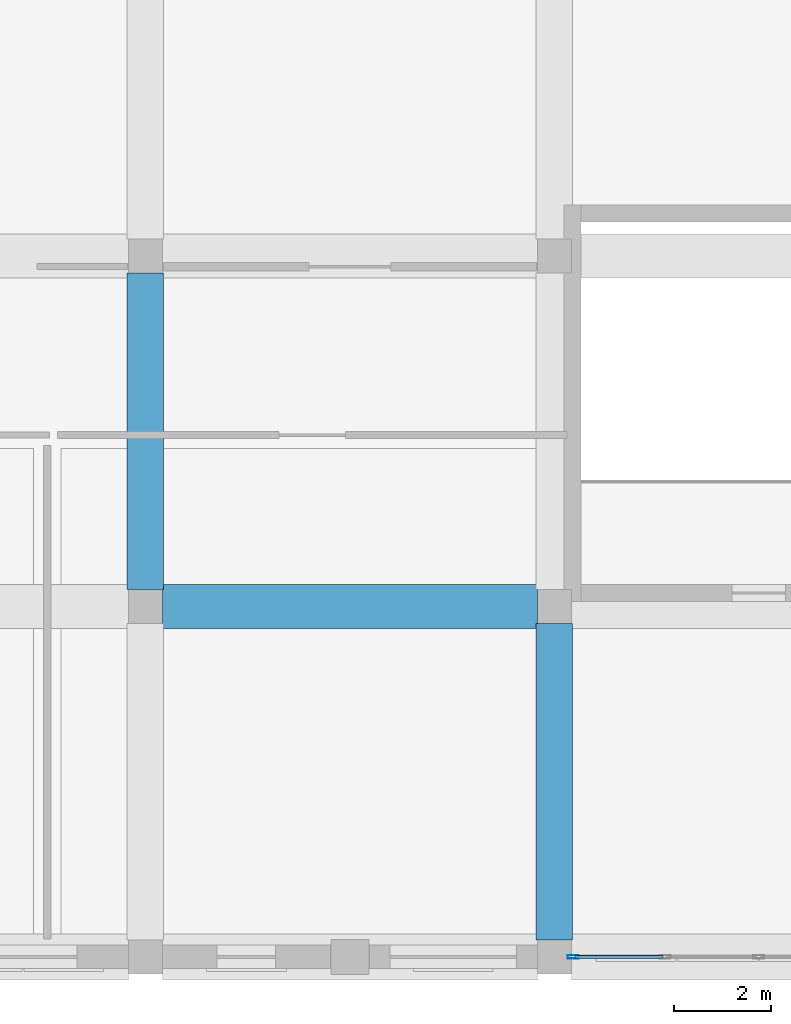
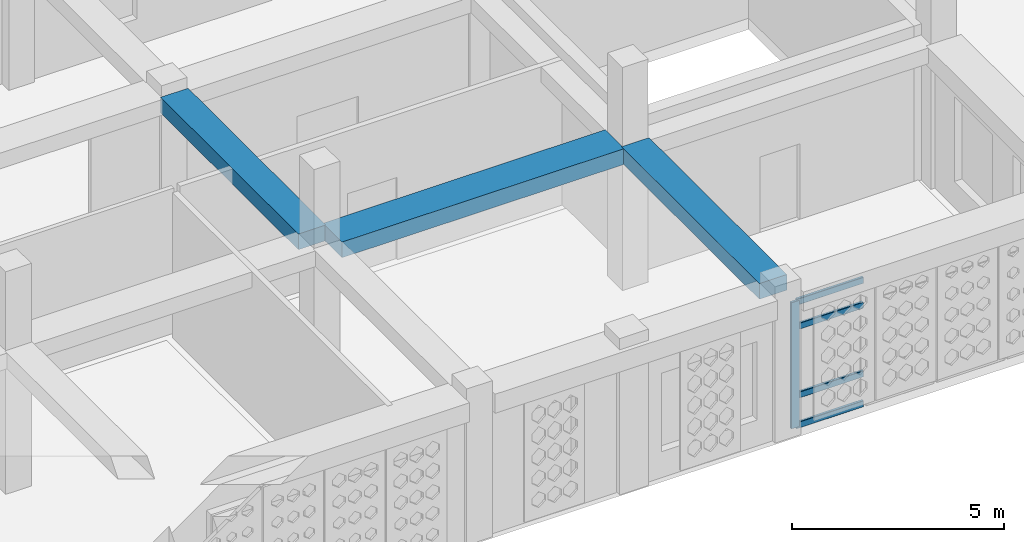
# One storey, part 17 of 100: 5 members, 3 beams, 1 element without a shape of its own.
"""IFC4 building model written with IfcOpenShell, lengths in metres."""

from ifc_helpers import new_model, si_unit, derived_unit, direction, frame, origin, origin_2d, place, context, subcontext, project, spatial, rectangle, hollow_rectangle, extrude, material, material_profile, profile_set, type_object, element, aggregate, save


model = new_model("IFC4")

# Units and contexts
model_context = context("Model", 3, precision=1e-05, world=origin(), true_north=direction((0.0, 1.0)))
body_context = subcontext(model_context, "Body", "Model", "MODEL_VIEW")
ifc_project = project(units=[si_unit("LENGTHUNIT", "METRE"), si_unit("AREAUNIT", "SQUARE_METRE"), si_unit("VOLUMEUNIT", "CUBIC_METRE"), si_unit("PLANEANGLEUNIT", "RADIAN"), si_unit("MASSUNIT", "GRAM", prefix="KILO"), derived_unit("THERMALTRANSMITTANCEUNIT", [(si_unit("POWERUNIT", "WATT"), 1), (si_unit("LENGTHUNIT", "METRE"), -2), (si_unit("THERMODYNAMICTEMPERATUREUNIT", "KELVIN"), -1)])], contexts=[model_context])

# Site, building, storey
site_placement = place(None, origin())
site = spatial("IfcSite", under=ifc_project, at=site_placement, CompositionType="ELEMENT")
building_placement = place(site_placement, origin())
building = spatial("IfcBuilding", under=site, at=building_placement, Name="Veybourne Emporium", CompositionType="ELEMENT")
storey_placement = place(building_placement, frame((0.0, 0.0, 14.39990234375)))
storey = spatial("IfcBuildingStorey", under=building, at=storey_placement, Name="L03", CompositionType="ELEMENT", Elevation=14.39990234375)

# Curtain wall, members
ifc_material_1 = material(Name="Patinated Architectural Bronze", Category="bronze")
curtain_wall_type = type_object("IfcCurtainWallType", Name="CWSystem_CWS-22", PredefinedType="NOTDEFINED", material=ifc_material_1)
curtain_wall_placement = place(storey_placement, origin())
curtain_wall = element("IfcCurtainWall", 1, at=curtain_wall_placement, inside=storey, type_object=curtain_wall_type, Name="L03 bronze glazed curtain wall CWS-22 (066)", PredefinedType="NOTDEFINED")
ifc_material_profile_1 = material_profile(ifc_material_1, hollow_rectangle(XDim=0.074951171875, YDim=0.22998046875, WallThickness=0.0048828125, InnerFilletRadius=0.007568359375, OuterFilletRadius=0.012451171875, at=origin_2d()), Name="CWM 75x230x5")
ifc_profile_set_1 = profile_set([ifc_material_profile_1], Name="Patinated Architectural Bronze")
member_type_1 = type_object("IfcMemberType", Name="CWMullion_CW-M2", PredefinedType="MULLION", material=ifc_profile_set_1)
member_1_placement = place(storey_placement, frame((126.387451171875, 0.0, 0.0), z_axis=(0.0, 0.0, 1.0), x_axis=(0.0, -1.0, 0.0)))
member_1 = element("IfcMember", 2, at=member_1_placement, type_object=member_type_1, Name="CWS-22 mullion 5", PredefinedType="MULLION", context=body_context, shape_type="SweptSolid", body=[
    extrude(hollow_rectangle(XDim=0.074951171875, YDim=0.22998046875, WallThickness=0.0048828125, InnerFilletRadius=0.007568359375, OuterFilletRadius=0.012451171875, at=origin_2d()), origin(), (0.0, 0.0, 1.0), 3.630126953125),
])
ifc_material_profile_2 = material_profile(ifc_material_1, hollow_rectangle(XDim=0.074951171875, YDim=0.179931640625, WallThickness=0.0048828125, InnerFilletRadius=0.007568359375, OuterFilletRadius=0.012451171875, at=origin_2d()), Name="CWT 75x180x5")
ifc_profile_set_2 = profile_set([ifc_material_profile_2], Name="Patinated Architectural Bronze")
member_type_2 = type_object("IfcMemberType", Name="CWTransom_CW-T2", PredefinedType="NOTDEFINED", material=ifc_profile_set_2)
member_2_placement = place(storey_placement, frame((128.237548828125, 0.0, 0.03759765625), z_axis=(-1.0, 0.0, 0.0), x_axis=(0.0, -1.0, 0.0)))
member_2 = element("IfcMember", 3, at=member_2_placement, type_object=member_type_2, Name="CWS-22 transom 4.1", ObjectType="TRANSOM", PredefinedType="USERDEFINED", context=body_context, shape_type="SweptSolid", body=[
    extrude(hollow_rectangle(XDim=0.074951171875, YDim=0.179931640625, WallThickness=0.0048828125, InnerFilletRadius=0.007568359375, OuterFilletRadius=0.012451171875, at=origin_2d()), origin(), (0.0, 0.0, 1.0), 1.8125),
])
member_3_placement = place(storey_placement, frame((128.237548828125, 0.0, 0.900146484375), z_axis=(-1.0, 0.0, 0.0), x_axis=(0.0, -1.0, 0.0)))
member_3 = element("IfcMember", 4, at=member_3_placement, type_object=member_type_2, Name="CWS-22 transom 4.2", ObjectType="TRANSOM", PredefinedType="USERDEFINED", context=body_context, shape_type="SweptSolid", body=[
    extrude(hollow_rectangle(XDim=0.074951171875, YDim=0.179931640625, WallThickness=0.0048828125, InnerFilletRadius=0.007568359375, OuterFilletRadius=0.012451171875, at=origin_2d()), origin(), (0.0, 0.0, 1.0), 1.8125),
])
member_4_placement = place(storey_placement, frame((128.237548828125, 0.0, 2.880126953125), z_axis=(-1.0, 0.0, 0.0), x_axis=(0.0, -1.0, 0.0)))
member_4 = element("IfcMember", 5, at=member_4_placement, type_object=member_type_2, Name="CWS-22 transom 4.3", ObjectType="TRANSOM", PredefinedType="USERDEFINED", context=body_context, shape_type="SweptSolid", body=[
    extrude(hollow_rectangle(XDim=0.074951171875, YDim=0.179931640625, WallThickness=0.0048828125, InnerFilletRadius=0.007568359375, OuterFilletRadius=0.012451171875, at=origin_2d()), origin(), (0.0, 0.0, 1.0), 1.8125),
])
member_5_placement = place(storey_placement, frame((128.237548828125, 0.0, 3.592529296875), z_axis=(-1.0, 0.0, 0.0), x_axis=(0.0, -1.0, 0.0)))
member_5 = element("IfcMember", 6, at=member_5_placement, type_object=member_type_2, Name="CWS-22 transom 4.4", ObjectType="TRANSOM", PredefinedType="USERDEFINED", context=body_context, shape_type="SweptSolid", body=[
    extrude(hollow_rectangle(XDim=0.074951171875, YDim=0.179931640625, WallThickness=0.0048828125, InnerFilletRadius=0.007568359375, OuterFilletRadius=0.012451171875, at=origin_2d()), origin(), (0.0, 0.0, 1.0), 1.8125),
])
aggregate(curtain_wall, [member_1, member_2, member_3, member_4, member_5])

# Beams
ifc_material_2 = material(Name="Concrete C32/40", Category="concrete")
ifc_material_profile_3 = material_profile(ifc_material_2, rectangle(XDim=0.89990234375, YDim=0.449951171875, at=origin_2d()), Name="RC 900x450")
ifc_profile_set_3 = profile_set([ifc_material_profile_3], Name="Concrete C32/40")
beam_type_1 = type_object("IfcBeamType", Name="RCBeam_BB-03", PredefinedType="BEAM", material=ifc_profile_set_3)
beam_placement = place(storey_placement, frame((117.949951171875, 7.199951171875, 3.955078125), z_axis=(1.0, 0.0, 0.0), x_axis=(0.0, 1.0, 0.0)))
element("IfcBeam", 7, at=beam_placement, inside=storey, type_object=beam_type_1, Name="L03 X-grid beam BB-03 (14,1)", PredefinedType="BEAM", context=body_context, shape_type="SweptSolid", body=[
    extrude(rectangle(XDim=0.89990234375, YDim=0.449951171875, at=origin_2d()), origin(), (0.0, 0.0, 1.0), 7.699951171875),
])
ifc_material_profile_4 = material_profile(ifc_material_2, rectangle(XDim=0.75, YDim=0.449951171875, at=origin_2d()), Name="RC 750x450")
ifc_profile_set_4 = profile_set([ifc_material_profile_4], Name="Concrete C32/40")
beam_type_2 = type_object("IfcBeamType", Name="RCBeam_BB-04", PredefinedType="BEAM", material=ifc_profile_set_4)
for number, where, z_axis, x_axis, name in (
    (8, (117.60009765625, 7.550048828125, 3.955078125), (0.0, 1.0, 0.0), (-1.0, 0.0, 0.0), "L03 Y-grid beam BB-04 (14,1)"),
    (9, (126.0, 0.35009765625, 3.955078125), (0.0, 1.0, 0.0), (-1.0, 0.0, 0.0), "L03 Y-grid beam BB-04 (15,0)"),
):
    element("IfcBeam", number, at=place(storey_placement, frame(where, z_axis=z_axis, x_axis=x_axis)), inside=storey, type_object=beam_type_2, Name=name, PredefinedType="BEAM", context=body_context, shape_type="SweptSolid", body=[
        extrude(rectangle(XDim=0.75, YDim=0.449951171875, at=origin_2d()), origin(), (0.0, 0.0, 1.0), 6.5),
    ])

save(model, "model.ifc")
